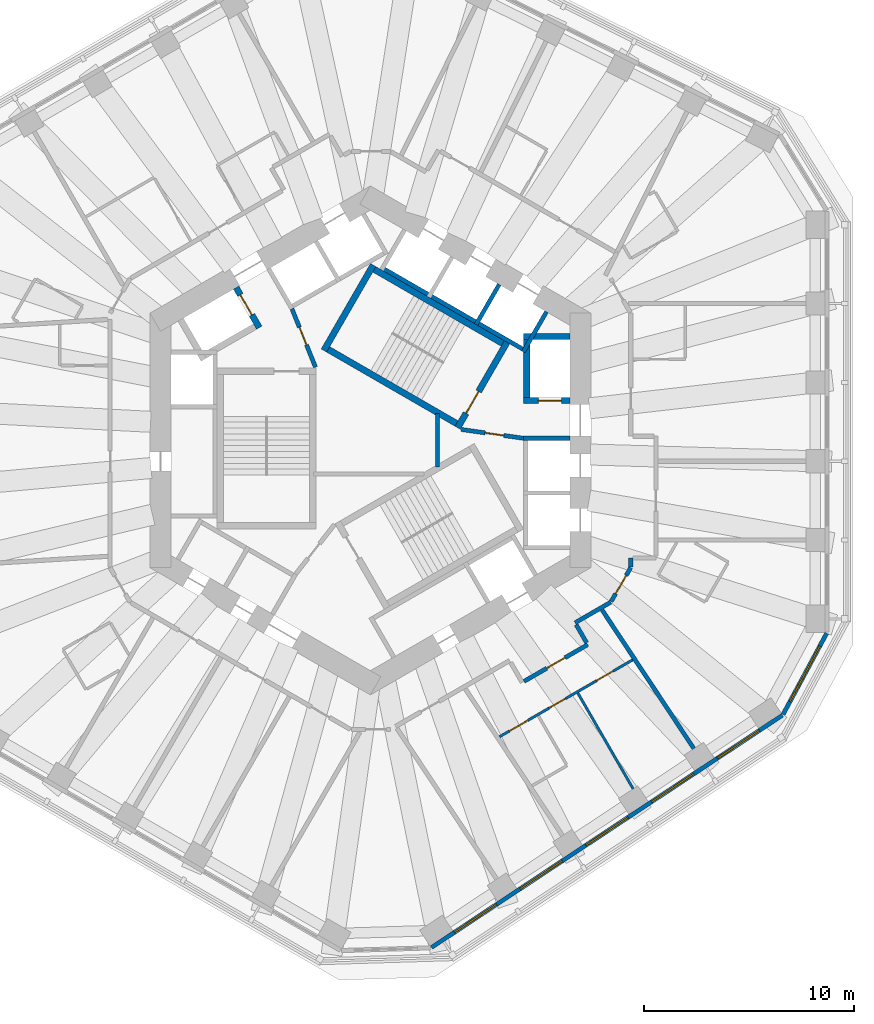
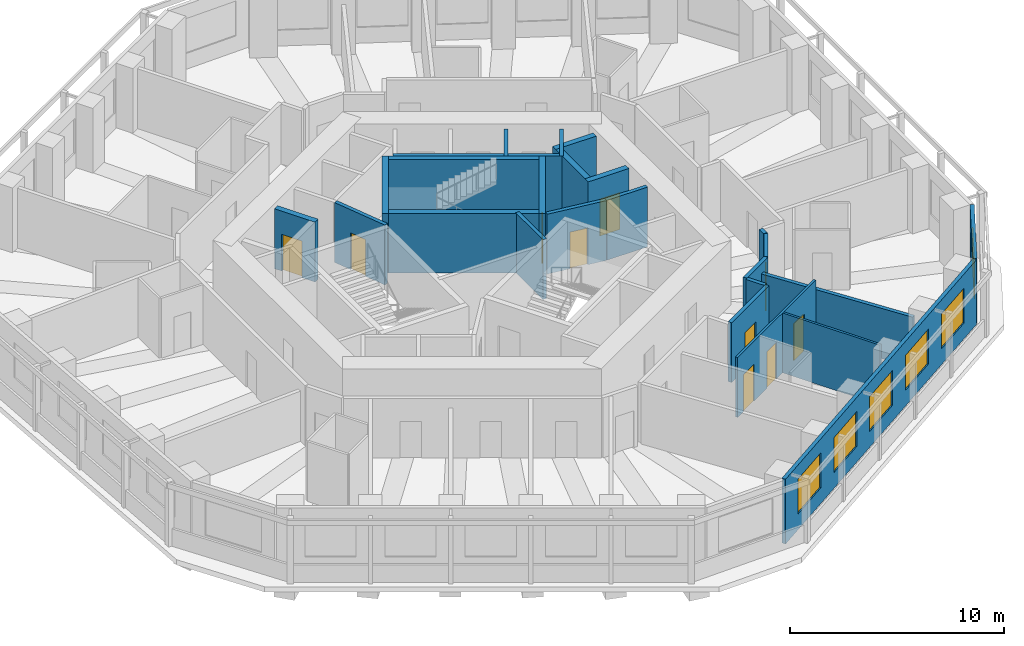
# One storey, part 6 of 12: 25 walls, 10 doors, 6 windows, 16 openings.
"""IFC4 building model written with IfcOpenShell, lengths in metres."""

import ifcopenshell
import ifcopenshell.guid

model = None  # the IFC model being written
_history = None  # IfcOwnerHistory: only IFC2X3 demands one
_inside = {}  # id of a spatial element -> (the spatial element, [elements in it])
_under = {}  # id of a project, library or spatial element -> (it, [spatial elements below it])
_declared = {}  # id of a project -> (the project, [libraries it declares])
_typed = {}  # id of a type object -> (the type object, [elements of that type])
_made_of = {}  # id of a material, layer set ... -> (it, [elements and type objects made of it])


def new_model(schema):
    """Start an empty IFC model of exactly this schema.

    Asked for "IFC4X3", IfcOpenShell would pick the latest addendum, in which some entities
    have other attributes; the version numbers below select the first issue.
    IFC2X3 requires an IfcOwnerHistory on every rooted entity: one is made here for all.
    """
    global model, _history
    if schema == "IFC4X3":
        model = ifcopenshell.file(schema_version=(4, 3, 0, 0))
    else:
        model = ifcopenshell.file(schema=schema)
    _inside.clear()
    _under.clear()
    _declared.clear()
    _typed.clear()
    _made_of.clear()
    _history = None
    if model.schema == "IFC2X3":
        org = make("IfcOrganization", Name="unknown")
        user = make(
            "IfcPersonAndOrganization",
            ThePerson=make("IfcPerson", FamilyName="unknown"),
            TheOrganization=org,
        )
        app = make(
            "IfcApplication",
            ApplicationDeveloper=org,
            Version="unknown",
            ApplicationFullName="unknown",
            ApplicationIdentifier="unknown",
        )
        _history = make(
            "IfcOwnerHistory",
            OwningUser=user,
            OwningApplication=app,
            ChangeAction="ADDED",
            CreationDate=0,
        )
    return model


def make(cls, **values):
    """One entity of the class cls with the attributes given. An attribute that is None is left unset."""
    return model.create_entity(
        cls, **{name: value for name, value in values.items() if value is not None}
    )


def rooted(cls, **values):
    """An entity with a GlobalId (a new one), such as an element, a storey or a relation."""
    return make(cls, GlobalId=ifcopenshell.guid.new(), OwnerHistory=_history, **values)


def si_unit(unit_type, name, prefix=None):
    """IfcSIUnit, for example si_unit("LENGTHUNIT", "METRE", prefix="MILLI")."""
    return make("IfcSIUnit", UnitType=unit_type, Prefix=prefix, Name=name)


def assignment(units):
    """IfcUnitAssignment: the units of a project."""
    return None if units is None else make("IfcUnitAssignment", Units=units)


def point(xyz):
    """IfcCartesianPoint."""
    return None if xyz is None else make("IfcCartesianPoint", Coordinates=xyz)


def direction(xyz):
    """IfcDirection."""
    return None if xyz is None else make("IfcDirection", DirectionRatios=xyz)


def frame(location, z_axis=None, x_axis=None):
    """IfcAxis2Placement3D, a coordinate frame: its origin and axes. An axis left out is left unset."""
    return make(
        "IfcAxis2Placement3D",
        Location=point(location),
        Axis=direction(z_axis),
        RefDirection=direction(x_axis),
    )


def frame_2d(location, x_axis=None):
    """IfcAxis2Placement2D, a coordinate frame in the plane: its origin and x axis."""
    return make(
        "IfcAxis2Placement2D", Location=point(location), RefDirection=direction(x_axis)
    )


def origin():
    """The frame at (0, 0, 0) with its axes left unset."""
    return frame((0.0, 0.0, 0.0))


def place(relative_to, where):
    """IfcLocalPlacement: puts the frame where relative to a parent placement (None: the world)."""
    return make(
        "IfcLocalPlacement", PlacementRelTo=relative_to, RelativePlacement=where
    )


def context(
    kind, dimensions, precision=None, world=None, true_north=None, identifier=None
):
    """IfcGeometricRepresentationContext, for example the 3D "Model" context."""
    return make(
        "IfcGeometricRepresentationContext",
        ContextIdentifier=identifier,
        ContextType=kind,
        CoordinateSpaceDimension=dimensions,
        Precision=precision,
        WorldCoordinateSystem=world,
        TrueNorth=true_north,
    )


def subcontext(parent, identifier, kind, view, scale=None):
    """IfcGeometricRepresentationSubContext, for example "Body" below "Model"."""
    return make(
        "IfcGeometricRepresentationSubContext",
        ContextIdentifier=identifier,
        ContextType=kind,
        ParentContext=parent,
        TargetScale=scale,
        TargetView=view,
    )


def project(units=None, contexts=None):
    """IfcProject with its units and contexts."""
    return rooted(
        "IfcProject",
        Name="project",
        RepresentationContexts=contexts,
        UnitsInContext=assignment(units),
    )


def spatial(cls, under=None, at=None, **own):
    """A site, building, storey or space (cls), placed at a placement, below another one or the project."""
    s = rooted(cls, ObjectPlacement=at, **own)
    if under is not None:
        _under.setdefault(under.id(), (under, []))[1].append(s)
    return s


def profile(cls, at=None, kind="AREA", **sizes):
    """A parametric profile (cls). Its sizes go by their IFC names, for example OverallWidth=200.0."""
    return make(cls, ProfileType=kind, Position=at, **sizes)


def rectangle(**sizes):
    """IfcRectangleProfileDef."""
    return profile("IfcRectangleProfileDef", **sizes)


def extrude(swept, where, along, depth):
    """IfcExtrudedAreaSolid: the profile swept, set in the frame where, extruded along a direction by depth."""
    return make(
        "IfcExtrudedAreaSolid",
        SweptArea=swept,
        Position=where,
        ExtrudedDirection=direction(along),
        Depth=depth,
    )


def shape(context_of_items, identifier, shape_type, items):
    """IfcShapeRepresentation: the items that make up one representation, for example the "Body"."""
    return make(
        "IfcShapeRepresentation",
        ContextOfItems=context_of_items,
        RepresentationIdentifier=identifier,
        RepresentationType=shape_type,
        Items=items,
    )


def material(Name=None, Category=None):
    """IfcMaterial."""
    return make("IfcMaterial", Name=Name, Category=Category)


def layer(
    of_material, thickness, ventilated=None, Name=None, Category=None, Priority=None
):
    """IfcMaterialLayer: one layer of a wall or slab, of a material (None: an air gap)."""
    return make(
        "IfcMaterialLayer",
        Material=of_material,
        LayerThickness=thickness,
        IsVentilated=ventilated,
        Name=Name,
        Category=Category,
        Priority=Priority,
    )


def layer_set(layers, Name=None):
    """IfcMaterialLayerSet."""
    return make("IfcMaterialLayerSet", MaterialLayers=layers, LayerSetName=Name)


def made_of(thing, what):
    """Note that an element or type object is made of a material, layer set ...; save() writes the relation."""
    if what is not None:
        _made_of.setdefault(what.id(), (what, []))[1].append(thing)
    return thing


def type_object(cls, material=None, **own):
    """A type object (cls), such as IfcWallType, which elements share."""
    return made_of(rooted(cls, **own), material)


def element(
    cls,
    number,
    at=None,
    inside=None,
    cuts=None,
    type_object=None,
    material=None,
    context=None,
    identifier="Body",
    shape_type=None,
    held_by="IfcProductDefinitionShape",
    body=None,
    shapes=None,
    **own,
):
    """One element of the class cls, such as IfcWall. Its Tag is "e" and its number.

    at: its placement. inside: the storey or other place that contains it. cuts: it is an
    opening in that element (IfcRelVoidsElement). A single representation is given by context,
    identifier, shape_type and body (its items); several are given by shapes. held_by: the class
    of the entity that holds the representations. save() writes the other relations.
    """
    e = rooted(cls, Tag="e%d" % number, ObjectPlacement=at, **own)
    if body is not None:
        shapes = [shape(context, identifier, shape_type, body)]
    if shapes is not None:
        e.Representation = make(held_by, Representations=shapes)
    if inside is not None:
        _inside.setdefault(inside.id(), (inside, []))[1].append(e)
    if cuts is not None:
        rooted(
            "IfcRelVoidsElement", RelatingBuildingElement=cuts, RelatedOpeningElement=e
        )
    if type_object is not None:
        _typed.setdefault(type_object.id(), (type_object, []))[1].append(e)
    return made_of(e, material)


def fill(opening, filler):
    """IfcRelFillsElement: the door or window that sits in an opening."""
    return rooted(
        "IfcRelFillsElement",
        RelatingOpeningElement=opening,
        RelatedBuildingElement=filler,
    )


def aggregate(whole, parts):
    """IfcRelAggregates: a whole, such as a stair, and the parts it consists of."""
    return rooted("IfcRelAggregates", RelatingObject=whole, RelatedObjects=parts)


def save(model, path):
    """Write the relations noted so far, then the file.

    IfcRelAggregates (storeys below a building ...), IfcRelContainedInSpatialStructure (elements
    in a storey), IfcRelDefinesByType, IfcRelAssociatesMaterial and IfcRelDeclares: one each for
    every whole, place, type object, material and project.
    """
    for whole, parts in _under.values():
        aggregate(whole, parts)
    for where, things in _inside.values():
        rooted(
            "IfcRelContainedInSpatialStructure",
            RelatedElements=things,
            RelatingStructure=where,
        )
    for kind, things in _typed.values():
        rooted("IfcRelDefinesByType", RelatedObjects=things, RelatingType=kind)
    for what, things in _made_of.values():
        rooted("IfcRelAssociatesMaterial", RelatedObjects=things, RelatingMaterial=what)
    for by, libraries in _declared.values():
        rooted("IfcRelDeclares", RelatingContext=by, RelatedDefinitions=libraries)
    model.write(path)


model = new_model("IFC4")

# Units and contexts
model_context = context("Model", 3, precision=1e-05, world=origin(), true_north=direction((0.0, 1.0)))
body_context = subcontext(model_context, "Body", "Model", "MODEL_VIEW")
ifc_project = project(units=[si_unit("LENGTHUNIT", "METRE"), si_unit("AREAUNIT", "SQUARE_METRE"), si_unit("VOLUMEUNIT", "CUBIC_METRE"), si_unit("PLANEANGLEUNIT", "RADIAN"), si_unit("MASSUNIT", "GRAM", prefix="KILO")], contexts=[model_context])

# Site, building, storey
site_placement = place(None, origin())
site = spatial("IfcSite", under=ifc_project, at=site_placement, CompositionType="ELEMENT")
building_placement = place(site_placement, origin())
building = spatial("IfcBuilding", under=site, at=building_placement, Name="Vanh Sen Convention Tower", CompositionType="ELEMENT")
storey_placement = place(building_placement, frame((0.0, 0.0, 124.39990234375)))
storey = spatial("IfcBuildingStorey", under=building, at=storey_placement, Name="L30", CompositionType="ELEMENT", Elevation=124.39990234375)

# Wall, openings, doors
ifc_material_1 = material(Name="Moisture-resistant gypsum board on steel studs", Category="steel")
ifc_layer_1 = layer(ifc_material_1, 0.1201171875)
ifc_layer_set_1 = layer_set([ifc_layer_1], Name="Moisture-resistant gypsum board on steel studs")
wall_type_1 = type_object("IfcWallType", Name="Bathroom partition 120", PredefinedType="PARTITIONING", material=ifc_layer_set_1)
wall_1_placement = place(storey_placement, frame((6.151611328125, -14.116455078125, 0.0), z_axis=(0.0, 0.0, 1.0), x_axis=(0.866026788224, 0.499997602072, 0.0)))
wall_1 = element("IfcWall", 1, at=wall_1_placement, inside=storey, type_object=wall_type_1, Name="Bathroom partition 120", PredefinedType="PARTITIONING", context=body_context, shape_type="SweptSolid", body=[
    extrude(rectangle(XDim=7.322265625, YDim=0.1201171875, at=frame_2d((3.6611328125, 0.0))), origin(), (0.0, 0.0, 1.0), 3.420166015625),
])
opening_1_placement = place(wall_1_placement, frame((0.550048828125, 0.0, 0.0)))
opening_1 = element("IfcOpeningElement", 2, at=opening_1_placement, cuts=wall_1, Name="Opening D30125", PredefinedType="OPENING", context=body_context, shape_type="SweptSolid", body=[
    extrude(rectangle(XDim=1.0, YDim=2.10009765625, at=frame_2d((0.5, 1.050048828125))), frame((0.0, 0.070068359375, 0.0), z_axis=(0.0, -1.0, 0.0), x_axis=(1.0, 0.0, 0.0)), (0.0, 0.0, 1.0), 0.14013671875),
])
opening_2_placement = place(wall_1_placement, frame((2.735595703125, 0.0, 0.0)))
opening_2 = element("IfcOpeningElement", 3, at=opening_2_placement, cuts=wall_1, Name="Opening D30126", PredefinedType="OPENING", context=body_context, shape_type="SweptSolid", body=[
    extrude(rectangle(XDim=0.89990234375, YDim=2.10009765625, at=frame_2d((0.449951171875, 1.050048828125))), frame((0.0, 0.070068359375, 0.0), z_axis=(0.0, -1.0, 0.0), x_axis=(1.0, 0.0, 0.0)), (0.0, 0.0, 1.0), 0.14013671875),
])
opening_3_placement = place(wall_1_placement, frame((5.3466796875, 0.0, 0.0)))
opening_3 = element("IfcOpeningElement", 4, at=opening_3_placement, cuts=wall_1, Name="Opening D30127", PredefinedType="OPENING", context=body_context, shape_type="SweptSolid", body=[
    extrude(rectangle(XDim=0.89990234375, YDim=2.10009765625, at=frame_2d((0.449951171875, 1.050048828125))), frame((0.0, 0.070068359375, 0.0), z_axis=(0.0, -1.0, 0.0), x_axis=(1.0, 0.0, 0.0)), (0.0, 0.0, 1.0), 0.14013671875),
])
ifc_material_2 = material(Name="Laminate door in steel frame", Category="steel")
door_type_1 = type_object("IfcDoorType", Name="Accessible WC door 1000", OperationType="SINGLE_SWING_LEFT", PredefinedType="DOOR", material=ifc_material_2)
door_1_placement = place(opening_1_placement, origin())
door_1 = element("IfcDoor", 5, at=door_1_placement, inside=storey, type_object=door_type_1, Name="Accessible WC door D30125", OperationType="SINGLE_SWING_LEFT", OverallHeight=2.10009765625, OverallWidth=1.0, PredefinedType="DOOR", context=body_context, shape_type="SweptSolid", body=[
    extrude(rectangle(XDim=1.0, YDim=2.10009765625, at=frame_2d((0.5, 1.050048828125))), frame((0.0, 0.02490234375, 0.0), z_axis=(0.0, -1.0, 0.0), x_axis=(1.0, 0.0, 0.0)), (0.0, 0.0, 1.0), 0.050048828125),
])
fill(opening_1, door_1)
door_type_2 = type_object("IfcDoorType", Name="Room internal door 900", OperationType="SINGLE_SWING_LEFT", PredefinedType="DOOR", material=ifc_material_2)
door_2_placement = place(opening_2_placement, origin())
door_2 = element("IfcDoor", 6, at=door_2_placement, inside=storey, type_object=door_type_2, Name="Internal room door D30126", OperationType="SINGLE_SWING_LEFT", OverallHeight=2.10009765625, OverallWidth=0.89990234375, PredefinedType="DOOR", context=body_context, shape_type="SweptSolid", body=[
    extrude(rectangle(XDim=0.89990234375, YDim=2.10009765625, at=frame_2d((0.449951171875, 1.050048828125))), frame((0.0, 0.02490234375, 0.0), z_axis=(0.0, -1.0, 0.0), x_axis=(1.0, 0.0, 0.0)), (0.0, 0.0, 1.0), 0.050048828125),
])
fill(opening_2, door_2)
door_3_placement = place(opening_3_placement, origin())
door_3 = element("IfcDoor", 7, at=door_3_placement, inside=storey, type_object=door_type_2, Name="Internal room door D30127", OperationType="SINGLE_SWING_LEFT", OverallHeight=2.10009765625, OverallWidth=0.89990234375, PredefinedType="DOOR", context=body_context, shape_type="SweptSolid", body=[
    extrude(rectangle(XDim=0.89990234375, YDim=2.10009765625, at=frame_2d((0.449951171875, 1.050048828125))), frame((0.0, 0.02490234375, 0.0), z_axis=(0.0, -1.0, 0.0), x_axis=(1.0, 0.0, 0.0)), (0.0, 0.0, 1.0), 0.050048828125),
])
fill(opening_3, door_3)

# Walls
wall_2_placement = place(storey_placement, frame((12.516845703125, -16.5986328125, 0.0), z_axis=(0.0, 0.0, 1.0), x_axis=(-0.500013727357, 0.866017478146, 0.0)))
element("IfcWall", 8, at=wall_2_placement, inside=storey, type_object=wall_type_1, Name="Bathroom partition 120", PredefinedType="PARTITIONING", context=body_context, shape_type="SweptSolid", body=[
    extrude(rectangle(XDim=5.272216796875, YDim=0.1201171875, at=frame_2d((2.63623046875, 0.0))), origin(), (0.0, 0.0, 1.0), 3.420166015625),
])
ifc_material_3 = material(Name="Masonry blockwork", Category="masonry")
ifc_layer_2 = layer(ifc_material_3, 0.199951171875)
ifc_layer_set_2 = layer_set([ifc_layer_2], Name="Masonry blockwork")
wall_type_2 = type_object("IfcWallType", Name="Core partition 200", PredefinedType="PARTITIONING", material=ifc_layer_set_2)
wall_3_placement = place(storey_placement, frame((3.199951171875, -1.274658203125, 0.0), z_axis=(0.0, 0.0, 1.0), x_axis=(0.0, 1.0, 0.0)))
element("IfcWall", 9, at=wall_3_placement, inside=storey, type_object=wall_type_2, Name="Core partition L30", PredefinedType="PARTITIONING", context=body_context, shape_type="SweptSolid", body=[
    extrude(rectangle(XDim=2.54931640625, YDim=0.199951171875, at=frame_2d((1.274658203125, 0.0))), origin(), (0.0, 0.0, 1.0), 3.420166015625),
])

# Wall, opening, door
ifc_material_4 = material(Name="Gypsum board on steel studs with mineral wool", Category="steel")
ifc_layer_3 = layer(ifc_material_4, 0.199951171875)
ifc_layer_set_3 = layer_set([ifc_layer_3], Name="Gypsum board on steel studs with mineral wool")
wall_type_3 = type_object("IfcWallType", Name="Corridor partition wall 200", PredefinedType="PARTITIONING", material=ifc_layer_set_3)
wall_4_placement = place(storey_placement, frame((7.319091796875, -11.479248046875, 0.0), z_axis=(0.0, 0.0, 1.0), x_axis=(0.866038154057, 0.49997791523, 0.0)))
wall_4 = element("IfcWall", 10, at=wall_4_placement, inside=storey, type_object=wall_type_3, Name="Corridor partition wall 200", PredefinedType="PARTITIONING", context=body_context, shape_type="SweptSolid", body=[
    extrude(rectangle(XDim=3.502197265625, YDim=0.199951171875, at=frame_2d((1.7509765625, 0.0))), origin(), (0.0, 0.0, 1.0), 3.420166015625),
])
opening_4_placement = place(wall_4_placement, frame((1.2509765625, 0.0, 0.0)))
opening_4 = element("IfcOpeningElement", 11, at=opening_4_placement, cuts=wall_4, Name="Opening D30124", PredefinedType="OPENING", context=body_context, shape_type="SweptSolid", body=[
    extrude(rectangle(XDim=1.0, YDim=2.10009765625, at=frame_2d((0.5, 1.050048828125))), frame((0.0, 0.10986328125, 0.0), z_axis=(0.0, -1.0, 0.0), x_axis=(1.0, 0.0, 0.0)), (0.0, 0.0, 1.0), 0.219970703125),
])
ifc_material_5 = material(Name="Timber fire door in steel frame", Category="steel")
door_type_3 = type_object("IfcDoorType", Name="Floor room door 1000", OperationType="SINGLE_SWING_LEFT", PredefinedType="DOOR", material=ifc_material_5)
door_4_placement = place(opening_4_placement, origin())
door_4 = element("IfcDoor", 12, at=door_4_placement, inside=storey, type_object=door_type_3, Name="Meeting and amenity room door D30124", OperationType="SINGLE_SWING_LEFT", OverallHeight=2.10009765625, OverallWidth=1.0, PredefinedType="DOOR", context=body_context, shape_type="SweptSolid", body=[
    extrude(rectangle(XDim=1.0, YDim=2.10009765625, at=frame_2d((0.5, 1.050048828125))), frame((0.0, 0.02490234375, 0.0), z_axis=(0.0, -1.0, 0.0), x_axis=(1.0, 0.0, 0.0)), (0.0, 0.0, 1.0), 0.050048828125),
])
fill(opening_4, door_4)

# Walls
wall_5_placement = place(storey_placement, frame((9.751708984375, -8.688232421875, 0.0), z_axis=(0.0, 0.0, 1.0), x_axis=(0.865974105138, 0.500088841337, 0.0)))
element("IfcWall", 13, at=wall_5_placement, inside=storey, type_object=wall_type_3, Name="Corridor partition wall 200", PredefinedType="PARTITIONING", context=body_context, shape_type="SweptSolid", body=[
    extrude(rectangle(XDim=1.961181640625, YDim=0.199951171875, at=frame_2d((0.98046875, 0.0))), origin(), (0.0, 0.0, 1.0), 3.420166015625),
])
wall_6_placement = place(storey_placement, frame((10.302001953125, -9.6416015625, 0.0), z_axis=(0.0, 0.0, 1.0), x_axis=(-0.500074377092, 0.865982457891, 0.0)))
element("IfcWall", 14, at=wall_6_placement, inside=storey, type_object=wall_type_3, Name="Corridor partition wall 200", PredefinedType="PARTITIONING", context=body_context, shape_type="SweptSolid", body=[
    extrude(rectangle(XDim=1.000732421875, YDim=0.199951171875, at=frame_2d((0.50048828125, 0.0))), origin(), (0.0, 0.0, 1.0), 3.420166015625),
])

# Wall, opening, door
wall_7_placement = place(storey_placement, frame((11.469970703125, -7.673095703125, 0.0), z_axis=(0.0, 0.0, 1.0), x_axis=(0.499964847546, 0.866045698112, 0.0)))
wall_7 = element("IfcWall", 15, at=wall_7_placement, inside=storey, type_object=wall_type_3, Name="Corridor partition wall 200", PredefinedType="PARTITIONING", context=body_context, shape_type="SweptSolid", body=[
    extrude(rectangle(XDim=1.860107421875, YDim=0.199951171875, at=frame_2d((0.93017578125, 0.0))), origin(), (0.0, 0.0, 1.0), 3.420166015625),
])
opening_5_placement = place(wall_7_placement, frame((0.429931640625, 0.0, 0.0)))
opening_5 = element("IfcOpeningElement", 16, at=opening_5_placement, cuts=wall_7, Name="Opening D30128", PredefinedType="OPENING", context=body_context, shape_type="SweptSolid", body=[
    extrude(rectangle(XDim=1.0, YDim=2.10009765625, at=frame_2d((0.5, 1.050048828125))), frame((0.0, 0.10986328125, 0.0), z_axis=(0.0, -1.0, 0.0), x_axis=(1.0, 0.0, 0.0)), (0.0, 0.0, 1.0), 0.219970703125),
])
ifc_material_6 = material(Name="Glazed fire door in steel frame", Category="steel")
door_type_4 = type_object("IfcDoorType", Name="Tenant entrance door 1000", OperationType="SINGLE_SWING_LEFT", PredefinedType="DOOR", material=ifc_material_6)
door_5_placement = place(opening_5_placement, origin())
door_5 = element("IfcDoor", 17, at=door_5_placement, inside=storey, type_object=door_type_4, Name="Tenant suite entrance door D30128", OperationType="SINGLE_SWING_LEFT", OverallHeight=2.10009765625, OverallWidth=1.0, PredefinedType="DOOR", context=body_context, shape_type="SweptSolid", body=[
    extrude(rectangle(XDim=1.0, YDim=2.10009765625, at=frame_2d((0.5, 1.050048828125))), frame((0.0, 0.02490234375, 0.0), z_axis=(0.0, -1.0, 0.0), x_axis=(1.0, 0.0, 0.0)), (0.0, 0.0, 1.0), 0.050048828125),
])
fill(opening_5, door_5)

# Wall
wall_8_placement = place(storey_placement, frame((12.39990234375, -6.022216796875, 0.0), z_axis=(0.0, 0.0, 1.0), x_axis=(0.0, 1.0, 0.0)))
element("IfcWall", 18, at=wall_8_placement, inside=storey, type_object=wall_type_3, Name="Corridor partition wall 200", PredefinedType="PARTITIONING", context=body_context, shape_type="SweptSolid", body=[
    extrude(rectangle(XDim=0.421142578125, YDim=0.199951171875, at=frame_2d((0.21044921875, 0.0))), origin(), (0.0, 0.0, 1.0), 3.420166015625),
])

# Wall, openings, windows
ifc_material_7 = material(Name="Insulated lightweight infill wall")
ifc_layer_4 = layer(ifc_material_7, 0.199951171875)
ifc_layer_set_4 = layer_set([ifc_layer_4], Name="Insulated lightweight infill wall")
wall_type_4 = type_object("IfcWallType", Name="External wall 200", PredefinedType="STANDARD", material=ifc_layer_set_4)
wall_9_placement = place(storey_placement, frame((2.910888671875, -24.156005859375, 0.0), z_axis=(0.0, 0.0, 1.0), x_axis=(0.833882163564, 0.551942512668, 0.0)))
wall_9 = element("IfcWall", 19, at=wall_9_placement, inside=storey, type_object=wall_type_4, Name="External wall SE L30", PredefinedType="STANDARD", context=body_context, shape_type="SweptSolid", body=[
    extrude(rectangle(XDim=20.043701171875, YDim=0.199951171875, at=frame_2d((10.02197265625, 0.0))), origin(), (0.0, 0.0, 1.0), 3.7001953125),
])
opening_6_placement = place(wall_9_placement, frame((1.312744140625, 0.0, 0.89990234375)))
opening_6 = element("IfcOpeningElement", 20, at=opening_6_placement, cuts=wall_9, Name="Opening WO1-SE1", PredefinedType="OPENING", context=body_context, shape_type="SweptSolid", body=[
    extrude(rectangle(XDim=2.39990234375, YDim=2.0, at=frame_2d((1.199951171875, 1.0))), frame((0.0, 0.10986328125, 0.0), z_axis=(0.0, -1.0, 0.0), x_axis=(1.0, 0.0, 0.0)), (0.0, 0.0, 1.0), 0.219970703125),
])
opening_7_placement = place(wall_9_placement, frame((5.06689453125, 0.0, 0.89990234375)))
opening_7 = element("IfcOpeningElement", 21, at=opening_7_placement, cuts=wall_9, Name="Opening WO1-SE2", PredefinedType="OPENING", context=body_context, shape_type="SweptSolid", body=[
    extrude(rectangle(XDim=2.39990234375, YDim=2.0, at=frame_2d((1.199951171875, 1.0))), frame((0.0, 0.10986328125, 0.0), z_axis=(0.0, -1.0, 0.0), x_axis=(1.0, 0.0, 0.0)), (0.0, 0.0, 1.0), 0.219970703125),
])
opening_8_placement = place(wall_9_placement, frame((8.82080078125, 0.0, 0.89990234375)))
opening_8 = element("IfcOpeningElement", 22, at=opening_8_placement, cuts=wall_9, Name="Opening WO1-SE3", PredefinedType="OPENING", context=body_context, shape_type="SweptSolid", body=[
    extrude(rectangle(XDim=2.39990234375, YDim=2.0, at=frame_2d((1.199951171875, 1.0))), frame((0.0, 0.10986328125, 0.0), z_axis=(0.0, -1.0, 0.0), x_axis=(1.0, 0.0, 0.0)), (0.0, 0.0, 1.0), 0.219970703125),
])
opening_9_placement = place(wall_9_placement, frame((12.5751953125, 0.0, 0.89990234375)))
opening_9 = element("IfcOpeningElement", 23, at=opening_9_placement, cuts=wall_9, Name="Opening WO1-SE4", PredefinedType="OPENING", context=body_context, shape_type="SweptSolid", body=[
    extrude(rectangle(XDim=2.39990234375, YDim=2.0, at=frame_2d((1.199951171875, 1.0))), frame((0.0, 0.10986328125, 0.0), z_axis=(0.0, -1.0, 0.0), x_axis=(1.0, 0.0, 0.0)), (0.0, 0.0, 1.0), 0.219970703125),
])
opening_10_placement = place(wall_9_placement, frame((16.3291015625, 0.0, 0.89990234375)))
opening_10 = element("IfcOpeningElement", 24, at=opening_10_placement, cuts=wall_9, Name="Opening WO1-SE5", PredefinedType="OPENING", context=body_context, shape_type="SweptSolid", body=[
    extrude(rectangle(XDim=2.39990234375, YDim=2.0, at=frame_2d((1.199951171875, 1.0))), frame((0.0, 0.10986328125, 0.0), z_axis=(0.0, -1.0, 0.0), x_axis=(1.0, 0.0, 0.0)), (0.0, 0.0, 1.0), 0.219970703125),
])
ifc_material_8 = material(Name="Aluminium frame with clear low-emissivity glass", Category="aluminium")
window_type_1 = type_object("IfcWindowType", Name="Office window 2400 x 2000", PartitioningType="SINGLE_PANEL", PredefinedType="WINDOW", material=ifc_material_8)
window_1_placement = place(opening_6_placement, origin())
window_1 = element("IfcWindow", 25, at=window_1_placement, inside=storey, type_object=window_type_1, Name="Window WO1-SE1", OverallHeight=2.0, OverallWidth=2.39990234375, PartitioningType="SINGLE_PANEL", PredefinedType="WINDOW", context=body_context, shape_type="SweptSolid", body=[
    extrude(rectangle(XDim=2.39990234375, YDim=2.0, at=frame_2d((1.199951171875, 1.0))), frame((0.0, 0.030029296875, 0.0), z_axis=(0.0, -1.0, 0.0), x_axis=(1.0, 0.0, 0.0)), (0.0, 0.0, 1.0), 0.06005859375),
])
fill(opening_6, window_1)
window_2_placement = place(opening_7_placement, origin())
window_2 = element("IfcWindow", 26, at=window_2_placement, inside=storey, type_object=window_type_1, Name="Window WO1-SE2", OverallHeight=2.0, OverallWidth=2.39990234375, PartitioningType="SINGLE_PANEL", PredefinedType="WINDOW", context=body_context, shape_type="SweptSolid", body=[
    extrude(rectangle(XDim=2.39990234375, YDim=2.0, at=frame_2d((1.199951171875, 1.0))), frame((0.0, 0.030029296875, 0.0), z_axis=(0.0, -1.0, 0.0), x_axis=(1.0, 0.0, 0.0)), (0.0, 0.0, 1.0), 0.06005859375),
])
fill(opening_7, window_2)
window_3_placement = place(opening_8_placement, origin())
window_3 = element("IfcWindow", 27, at=window_3_placement, inside=storey, type_object=window_type_1, Name="Window WO1-SE3", OverallHeight=2.0, OverallWidth=2.39990234375, PartitioningType="SINGLE_PANEL", PredefinedType="WINDOW", context=body_context, shape_type="SweptSolid", body=[
    extrude(rectangle(XDim=2.39990234375, YDim=2.0, at=frame_2d((1.199951171875, 1.0))), frame((0.0, 0.030029296875, 0.0), z_axis=(0.0, -1.0, 0.0), x_axis=(1.0, 0.0, 0.0)), (0.0, 0.0, 1.0), 0.06005859375),
])
fill(opening_8, window_3)
window_4_placement = place(opening_9_placement, origin())
window_4 = element("IfcWindow", 28, at=window_4_placement, inside=storey, type_object=window_type_1, Name="Window WO1-SE4", OverallHeight=2.0, OverallWidth=2.39990234375, PartitioningType="SINGLE_PANEL", PredefinedType="WINDOW", context=body_context, shape_type="SweptSolid", body=[
    extrude(rectangle(XDim=2.39990234375, YDim=2.0, at=frame_2d((1.199951171875, 1.0))), frame((0.0, 0.030029296875, 0.0), z_axis=(0.0, -1.0, 0.0), x_axis=(1.0, 0.0, 0.0)), (0.0, 0.0, 1.0), 0.06005859375),
])
fill(opening_9, window_4)
window_5_placement = place(opening_10_placement, origin())
window_5 = element("IfcWindow", 29, at=window_5_placement, inside=storey, type_object=window_type_1, Name="Window WO1-SE5", OverallHeight=2.0, OverallWidth=2.39990234375, PartitioningType="SINGLE_PANEL", PredefinedType="WINDOW", context=body_context, shape_type="SweptSolid", body=[
    extrude(rectangle(XDim=2.39990234375, YDim=2.0, at=frame_2d((1.199951171875, 1.0))), frame((0.0, 0.030029296875, 0.0), z_axis=(0.0, -1.0, 0.0), x_axis=(1.0, 0.0, 0.0)), (0.0, 0.0, 1.0), 0.06005859375),
])
fill(opening_10, window_5)

# Wall, opening, window
wall_10_placement = place(storey_placement, frame((19.657958984375, -13.05712890625, 0.0), z_axis=(0.0, 0.0, 1.0), x_axis=(0.473307879841, 0.880897071672, 0.0)))
wall_10 = element("IfcWall", 30, at=wall_10_placement, inside=storey, type_object=wall_type_4, Name="External wall CH6 L30", PredefinedType="STANDARD", context=body_context, shape_type="SweptSolid", body=[
    extrude(rectangle(XDim=4.394775390625, YDim=0.199951171875, at=frame_2d((2.197265625, 0.0))), origin(), (0.0, 0.0, 1.0), 3.7001953125),
])
opening_11_placement = place(wall_10_placement, frame((0.697509765625, 0.0, 0.89990234375)))
opening_11 = element("IfcOpeningElement", 31, at=opening_11_placement, cuts=wall_10, Name="Opening WO2-CH61", PredefinedType="OPENING", context=body_context, shape_type="SweptSolid", body=[
    extrude(rectangle(XDim=3.0, YDim=2.0, at=frame_2d((1.5, 1.0))), frame((0.0, 0.10986328125, 0.0), z_axis=(0.0, -1.0, 0.0), x_axis=(1.0, 0.0, 0.0)), (0.0, 0.0, 1.0), 0.219970703125),
])
window_type_2 = type_object("IfcWindowType", Name="Office window 3000 x 2000", PartitioningType="SINGLE_PANEL", PredefinedType="WINDOW", material=ifc_material_8)
window_6_placement = place(opening_11_placement, origin())
window_6 = element("IfcWindow", 32, at=window_6_placement, inside=storey, type_object=window_type_2, Name="Window WO2-CH61", OverallHeight=2.0, OverallWidth=3.0, PartitioningType="SINGLE_PANEL", PredefinedType="WINDOW", context=body_context, shape_type="SweptSolid", body=[
    extrude(rectangle(XDim=3.0, YDim=2.0, at=frame_2d((1.5, 1.0))), frame((0.0, 0.030029296875, 0.0), z_axis=(0.0, -1.0, 0.0), x_axis=(1.0, 0.0, 0.0)), (0.0, 0.0, 1.0), 0.06005859375),
])
fill(opening_11, window_6)

# Wall, opening, door
ifc_material_9 = material(Name="Concrete C60/75", Category="concrete")
ifc_layer_5 = layer(ifc_material_9, 0.300048828125)
ifc_layer_set_5 = layer_set([ifc_layer_5], Name="Concrete C60/75")
wall_type_5 = type_object("IfcWallType", Name="Fire-fighting lift shaft wall 300", PredefinedType="SHEAR", material=ifc_layer_set_5)
wall_11_placement = place(storey_placement, frame((7.300048828125, 1.89990234375, 0.0), z_axis=(0.0, 0.0, 1.0), x_axis=(1.0, 0.0, 0.0)))
wall_11 = element("IfcWall", 33, at=wall_11_placement, inside=storey, type_object=wall_type_5, Name="Fire-fighting lift shaft wall L30", PredefinedType="SHEAR", context=body_context, shape_type="SweptSolid", body=[
    extrude(rectangle(XDim=2.199951171875, YDim=0.300048828125, at=frame_2d((1.10009765625, 0.0))), origin(), (0.0, 0.0, 1.0), 3.420166015625),
])
opening_12_placement = place(wall_11_placement, frame((0.699951171875, 0.0, 0.0)))
opening_12 = element("IfcOpeningElement", 34, at=opening_12_placement, cuts=wall_11, Name="Opening LD-FF1", PredefinedType="OPENING", context=body_context, shape_type="SweptSolid", body=[
    extrude(rectangle(XDim=1.10009765625, YDim=2.10009765625, at=frame_2d((0.550048828125, 1.050048828125))), frame((0.0, 0.159912109375, 0.0), z_axis=(0.0, -1.0, 0.0), x_axis=(1.0, 0.0, 0.0)), (0.0, 0.0, 1.0), 0.320068359375),
])
ifc_material_10 = material(Name="Stainless steel", Category="steel")
door_type_5 = type_object("IfcDoorType", Name="Fire-fighting lift landing door 1100", OperationType="DOUBLE_DOOR_SLIDING", PredefinedType="DOOR", material=ifc_material_10)
door_6_placement = place(opening_12_placement, origin())
door_6 = element("IfcDoor", 35, at=door_6_placement, inside=storey, type_object=door_type_5, Name="Lift FF1 landing door LD-FF1", OperationType="DOUBLE_DOOR_SLIDING", OverallHeight=2.10009765625, OverallWidth=1.10009765625, PredefinedType="DOOR", context=body_context, shape_type="SweptSolid", body=[
    extrude(rectangle(XDim=1.10009765625, YDim=2.10009765625, at=frame_2d((0.550048828125, 1.050048828125))), frame((0.0, 0.02490234375, 0.0), z_axis=(0.0, -1.0, 0.0), x_axis=(1.0, 0.0, 0.0)), (0.0, 0.0, 1.0), 0.050048828125),
])
fill(opening_12, door_6)

# Walls
wall_12_placement = place(storey_placement, frame((7.449951171875, 1.75, 0.0), z_axis=(0.0, 0.0, 1.0), x_axis=(0.0, 1.0, 0.0)))
element("IfcWall", 36, at=wall_12_placement, inside=storey, type_object=wall_type_5, Name="Fire-fighting lift shaft wall L30", PredefinedType="SHEAR", context=body_context, shape_type="SweptSolid", body=[
    extrude(rectangle(XDim=3.35009765625, YDim=0.300048828125, at=frame_2d((1.675048828125, 0.0))), origin(), (0.0, 0.0, 1.0), 3.420166015625),
])
wall_13_placement = place(storey_placement, frame((7.300048828125, 4.949951171875, 0.0), z_axis=(0.0, 0.0, 1.0), x_axis=(1.0, 0.0, 0.0)))
element("IfcWall", 37, at=wall_13_placement, inside=storey, type_object=wall_type_5, Name="Fire-fighting lift shaft wall L30", PredefinedType="SHEAR", context=body_context, shape_type="SweptSolid", body=[
    extrude(rectangle(XDim=2.199951171875, YDim=0.300048828125, at=frame_2d((1.10009765625, 0.0))), origin(), (0.0, 0.0, 1.0), 3.420166015625),
])

# Wall, opening, door
wall_14_placement = place(storey_placement, frame((-5.29541015625, 5.3720703125, 0.0), z_axis=(0.0, 0.0, 1.0), x_axis=(-0.500077893725, 0.86598042715, 0.0)))
wall_14 = element("IfcWall", 38, at=wall_14_placement, inside=storey, type_object=wall_type_5, Name="Fire-fighting lift shaft wall L30", PredefinedType="SHEAR", context=body_context, shape_type="SweptSolid", body=[
    extrude(rectangle(XDim=2.199951171875, YDim=0.300048828125, at=frame_2d((1.10009765625, 0.0))), origin(), (0.0, 0.0, 1.0), 3.420166015625),
])
opening_13_placement = place(wall_14_placement, frame((0.699951171875, 0.0, 0.0)))
opening_13 = element("IfcOpeningElement", 39, at=opening_13_placement, cuts=wall_14, Name="Opening LD-FF2", PredefinedType="OPENING", context=body_context, shape_type="SweptSolid", body=[
    extrude(rectangle(XDim=1.10009765625, YDim=2.10009765625, at=frame_2d((0.550048828125, 1.050048828125))), frame((0.0, 0.159912109375, 0.0), z_axis=(0.0, -1.0, 0.0), x_axis=(1.0, 0.0, 0.0)), (0.0, 0.0, 1.0), 0.320068359375),
])
door_7_placement = place(opening_13_placement, origin())
door_7 = element("IfcDoor", 40, at=door_7_placement, inside=storey, type_object=door_type_5, Name="Lift FF2 landing door LD-FF2", OperationType="DOUBLE_DOOR_SLIDING", OverallHeight=2.10009765625, OverallWidth=1.10009765625, PredefinedType="DOOR", context=body_context, shape_type="SweptSolid", body=[
    extrude(rectangle(XDim=1.10009765625, YDim=2.10009765625, at=frame_2d((0.550048828125, 1.050048828125))), frame((0.0, 0.02490234375, 0.0), z_axis=(0.0, -1.0, 0.0), x_axis=(1.0, 0.0, 0.0)), (0.0, 0.0, 1.0), 0.050048828125),
])
fill(opening_13, door_7)

# Walls
ifc_material_11 = material(Name="Concrete C40/50", Category="concrete")
ifc_layer_6 = layer(ifc_material_11, 0.199951171875)
ifc_layer_set_6 = layer_set([ifc_layer_6], Name="Concrete C40/50")
wall_type_6 = type_object("IfcWallType", Name="Lift shaft wall 200", PredefinedType="PARTITIONING", material=ifc_layer_set_6)
wall_15_placement = place(storey_placement, frame((7.300048828125, 0.10009765625, 0.0), z_axis=(0.0, 0.0, 1.0), x_axis=(1.0, 0.0, 0.0)))
element("IfcWall", 41, at=wall_15_placement, inside=storey, type_object=wall_type_6, Name="Lift shaft wall L30", PredefinedType="PARTITIONING", context=body_context, shape_type="SweptSolid", body=[
    extrude(rectangle(XDim=2.199951171875, YDim=0.199951171875, at=frame_2d((1.10009765625, 0.0))), origin(), (0.0, 0.0, 1.0), 3.420166015625),
])
wall_16_placement = place(storey_placement, frame((7.423828125, 4.258544921875, 0.0), z_axis=(0.0, 0.0, 1.0), x_axis=(-0.866026010844, 0.49999894854, 0.0)))
element("IfcWall", 42, at=wall_16_placement, inside=storey, type_object=wall_type_6, Name="Lift shaft wall L30", PredefinedType="PARTITIONING", context=body_context, shape_type="SweptSolid", body=[
    extrude(rectangle(XDim=8.0, YDim=0.199951171875, at=frame_2d((4.0, 0.0))), origin(), (0.0, 0.0, 1.0), 3.420166015625),
])
for number, where, z_axis, x_axis, name in (
    (43, (7.287353515625, 4.221923828125, 0.0), (0.0, 0.0, 1.0), (0.499946605688, 0.86605622881, 0.0), "Lift shaft wall L30"),
    (44, (5.03564453125, 5.52197265625, 0.0), (0.0, 0.0, 1.0), (0.499946605688, 0.86605622881, 0.0), "Lift shaft wall L30"),
):
    element("IfcWall", number, at=place(storey_placement, frame(where, z_axis=z_axis, x_axis=x_axis)), inside=storey, type_object=wall_type_6, Name=name, PredefinedType="PARTITIONING", context=body_context, shape_type="SweptSolid", body=[
        extrude(rectangle(XDim=2.199951171875, YDim=0.199951171875, at=frame_2d((1.10009765625, 0.0))), origin(), (0.0, 0.0, 1.0), 3.420166015625),
    ])

# Wall, opening, door
ifc_layer_7 = layer(ifc_material_11, 0.199951171875)
ifc_layer_set_7 = layer_set([ifc_layer_7], Name="Concrete C40/50")
wall_type_7 = type_object("IfcWallType", Name="Stair lobby wall 200", PredefinedType="PARTITIONING", material=ifc_layer_set_7)
wall_17_placement = place(storey_placement, frame((4.327392578125, 0.52099609375, 0.0), z_axis=(0.0, 0.0, 1.0), x_axis=(0.990124376366, -0.14019172346, 0.0)))
wall_17 = element("IfcWall", 45, at=wall_17_placement, inside=storey, type_object=wall_type_7, Name="Stair lobby wall L30", PredefinedType="PARTITIONING", context=body_context, shape_type="SweptSolid", body=[
    extrude(rectangle(XDim=3.002197265625, YDim=0.199951171875, at=frame_2d((1.5009765625, 0.0))), origin(), (0.0, 0.0, 1.0), 3.420166015625),
])
opening_14_placement = place(wall_17_placement, frame((1.14990234375, 0.0, 0.0)))
opening_14 = element("IfcOpeningElement", 46, at=opening_14_placement, cuts=wall_17, Name="Opening D30007", PredefinedType="OPENING", context=body_context, shape_type="SweptSolid", body=[
    extrude(rectangle(XDim=0.89990234375, YDim=2.10009765625, at=frame_2d((0.449951171875, 1.050048828125))), frame((0.0, 0.10986328125, 0.0), z_axis=(0.0, -1.0, 0.0), x_axis=(1.0, 0.0, 0.0)), (0.0, 0.0, 1.0), 0.219970703125),
])
ifc_material_12 = material(Name="Steel S355", Category="steel")
door_type_6 = type_object("IfcDoorType", Name="Plant door 900", OperationType="SINGLE_SWING_LEFT", PredefinedType="DOOR", material=ifc_material_12)
door_8_placement = place(opening_14_placement, origin())
door_8 = element("IfcDoor", 47, at=door_8_placement, inside=storey, type_object=door_type_6, Name="Plant door D30007", OperationType="SINGLE_SWING_LEFT", OverallHeight=2.10009765625, OverallWidth=0.89990234375, PredefinedType="DOOR", context=body_context, shape_type="SweptSolid", body=[
    extrude(rectangle(XDim=0.89990234375, YDim=2.10009765625, at=frame_2d((0.449951171875, 1.050048828125))), frame((0.0, 0.02490234375, 0.0), z_axis=(0.0, -1.0, 0.0), x_axis=(1.0, 0.0, 0.0)), (0.0, 0.0, 1.0), 0.050048828125),
])
fill(opening_14, door_8)

wall_18_placement = place(storey_placement, frame((-2.614990234375, 3.487060546875, 0.0), z_axis=(0.0, 0.0, 1.0), x_axis=(-0.373576831041, 0.92759924068, 0.0)))
wall_18 = element("IfcWall", 48, at=wall_18_placement, inside=storey, type_object=wall_type_7, Name="Stair lobby wall L30", PredefinedType="PARTITIONING", context=body_context, shape_type="SweptSolid", body=[
    extrude(rectangle(XDim=3.002197265625, YDim=0.199951171875, at=frame_2d((1.5009765625, 0.0))), origin(), (0.0, 0.0, 1.0), 3.420166015625),
])
opening_15_placement = place(wall_18_placement, frame((1.14990234375, 0.0, 0.0)))
opening_15 = element("IfcOpeningElement", 49, at=opening_15_placement, cuts=wall_18, Name="Opening D30008", PredefinedType="OPENING", context=body_context, shape_type="SweptSolid", body=[
    extrude(rectangle(XDim=0.89990234375, YDim=2.10009765625, at=frame_2d((0.449951171875, 1.050048828125))), frame((0.0, 0.10986328125, 0.0), z_axis=(0.0, -1.0, 0.0), x_axis=(1.0, 0.0, 0.0)), (0.0, 0.0, 1.0), 0.219970703125),
])
door_9_placement = place(opening_15_placement, origin())
door_9 = element("IfcDoor", 50, at=door_9_placement, inside=storey, type_object=door_type_6, Name="Plant door D30008", OperationType="SINGLE_SWING_LEFT", OverallHeight=2.10009765625, OverallWidth=0.89990234375, PredefinedType="DOOR", context=body_context, shape_type="SweptSolid", body=[
    extrude(rectangle(XDim=0.89990234375, YDim=2.10009765625, at=frame_2d((0.449951171875, 1.050048828125))), frame((0.0, 0.02490234375, 0.0), z_axis=(0.0, -1.0, 0.0), x_axis=(1.0, 0.0, 0.0)), (0.0, 0.0, 1.0), 0.050048828125),
])
fill(opening_15, door_9)

ifc_layer_8 = layer(ifc_material_9, 0.300048828125)
ifc_layer_set_8 = layer_set([ifc_layer_8], Name="Concrete C60/75")
wall_type_8 = type_object("IfcWallType", Name="Stair wall 300", PredefinedType="SHEAR", material=ifc_layer_set_8)
wall_19_placement = place(storey_placement, frame((4.157958984375, 0.601806640625, 0.0), z_axis=(0.0, 0.0, 1.0), x_axis=(0.499977259774, 0.866038532462, 0.0)))
wall_19 = element("IfcWall", 51, at=wall_19_placement, inside=storey, type_object=wall_type_8, Name="Stair wall L30", PredefinedType="SHEAR", context=body_context, shape_type="SweptSolid", body=[
    extrude(rectangle(XDim=4.699951171875, YDim=0.300048828125, at=frame_2d((2.35009765625, 0.0))), origin(), (0.0, 0.0, 1.0), 3.420166015625),
])
opening_16_placement = place(wall_19_placement, frame((0.800048828125, 0.0, 0.0)))
opening_16 = element("IfcOpeningElement", 52, at=opening_16_placement, cuts=wall_19, Name="Opening D30004", PredefinedType="OPENING", context=body_context, shape_type="SweptSolid", body=[
    extrude(rectangle(XDim=1.199951171875, YDim=2.10009765625, at=frame_2d((0.60009765625, 1.050048828125))), frame((0.0, 0.159912109375, 0.0), z_axis=(0.0, -1.0, 0.0), x_axis=(1.0, 0.0, 0.0)), (0.0, 0.0, 1.0), 0.320068359375),
])
door_type_7 = type_object("IfcDoorType", Name="Stair door 1200", OperationType="SINGLE_SWING_RIGHT", PredefinedType="DOOR", material=ifc_material_12)
door_10_placement = place(opening_16_placement, origin())
door_10 = element("IfcDoor", 53, at=door_10_placement, inside=storey, type_object=door_type_7, Name="Stair ST1 door D30004", OperationType="SINGLE_SWING_RIGHT", OverallHeight=2.10009765625, OverallWidth=1.199951171875, PredefinedType="DOOR", context=body_context, shape_type="SweptSolid", body=[
    extrude(rectangle(XDim=1.199951171875, YDim=2.10009765625, at=frame_2d((0.60009765625, 1.050048828125))), frame((0.0, 0.02490234375, 0.0), z_axis=(0.0, -1.0, 0.0), x_axis=(1.0, 0.0, 0.0)), (0.0, 0.0, 1.0), 0.050048828125),
])
fill(opening_16, door_10)

# Walls
wall_20_placement = place(storey_placement, frame((-2.216064453125, 4.28173828125, 0.0), z_axis=(0.0, 0.0, 1.0), x_axis=(0.499977259774, 0.866038532462, 0.0)))
element("IfcWall", 54, at=wall_20_placement, inside=storey, type_object=wall_type_8, Name="Stair wall L30", PredefinedType="SHEAR", context=body_context, shape_type="SweptSolid", body=[
    extrude(rectangle(XDim=4.699951171875, YDim=0.300048828125, at=frame_2d((2.35009765625, 0.0))), origin(), (0.0, 0.0, 1.0), 3.420166015625),
])
for number, where, z_axis, x_axis, name in (
    (55, (4.10302734375, 0.806640625, 0.0), (0.0, 0.0, 1.0), (-0.866027801685, 0.499995846692, 0.0), "Stair wall L30"),
    (56, (6.302978515625, 4.6171875, 0.0), (0.0, 0.0, 1.0), (-0.866027801685, 0.499995846692, 0.0), "Stair wall L30"),
):
    element("IfcWall", number, at=place(storey_placement, frame(where, z_axis=z_axis, x_axis=x_axis)), inside=storey, type_object=wall_type_8, Name=name, PredefinedType="SHEAR", context=body_context, shape_type="SweptSolid", body=[
        extrude(rectangle(XDim=7.06005859375, YDim=0.300048828125, at=frame_2d((3.530029296875, 0.0))), origin(), (0.0, 0.0, 1.0), 3.420166015625),
    ])
ifc_layer_9 = layer(ifc_material_4, 0.199951171875)
ifc_layer_set_9 = layer_set([ifc_layer_9], Name="Gypsum board on steel studs with mineral wool")
wall_type_9 = type_object("IfcWallType", Name="Tenant suite wall 200", PredefinedType="PARTITIONING", material=ifc_layer_set_9)
wall_21_placement = place(storey_placement, frame((15.410888671875, -14.68310546875, 0.0), z_axis=(0.0, 0.0, 1.0), x_axis=(-0.551932106251, 0.833889051427, 0.0)))
element("IfcWall", 57, at=wall_21_placement, inside=storey, type_object=wall_type_9, Name="Tenant suite wall 200", PredefinedType="PARTITIONING", context=body_context, shape_type="SweptSolid", body=[
    extrude(rectangle(XDim=7.92626953125, YDim=0.199951171875, at=frame_2d((3.963134765625, 0.0))), origin(), (0.0, 0.0, 1.0), 2.8701171875),
])

save(model, "model.ifc")
